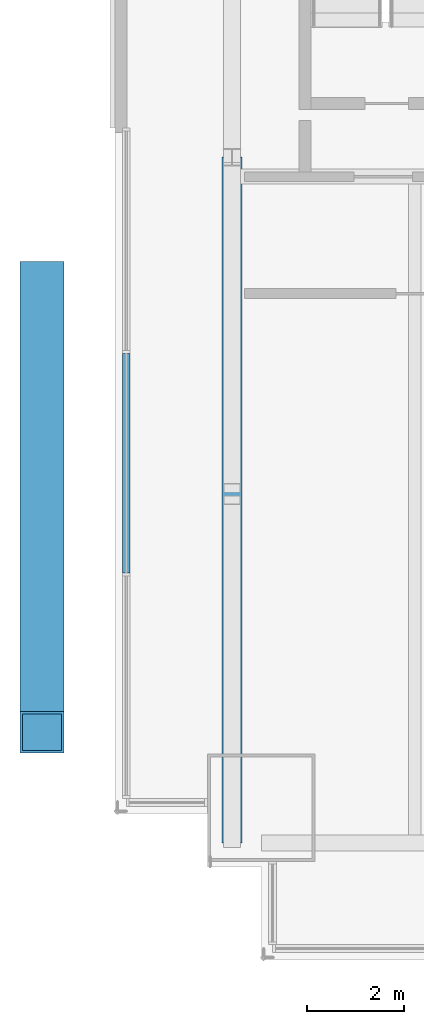
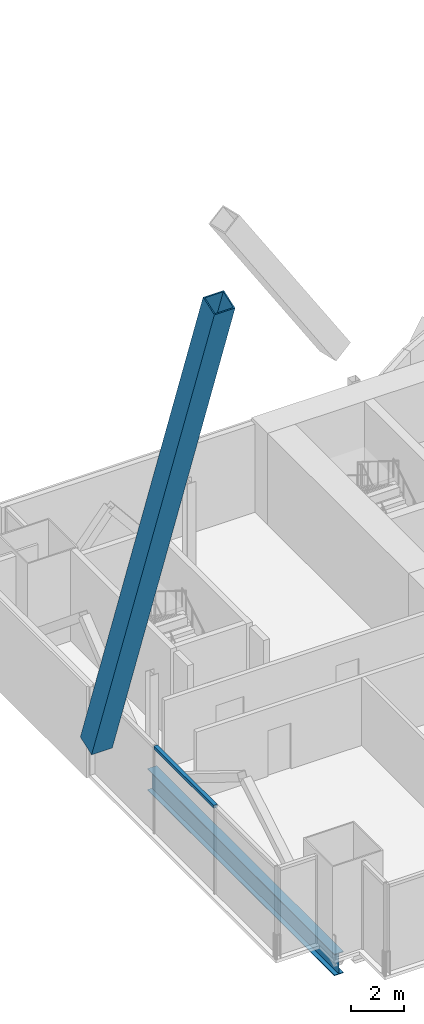
# One storey, part 6 of 23: 2 members, 1 beam, 1 element without a shape of its own.
"""IFC4 building model written with IfcOpenShell, lengths in metres."""

from ifc_helpers import new_model, si_unit, direction, frame, origin, origin_2d, place, context, subcontext, project, spatial, rectangle, hollow_rectangle, i_section, extrude, material, material_profile, profile_set, type_object, element, aggregate, save


model = new_model("IFC4")

# Units and contexts
model_context = context("Model", 3, precision=1e-05, world=origin(), true_north=direction((0.0, 1.0)))
body_context = subcontext(model_context, "Body", "Model", "MODEL_VIEW")
ifc_project = project(units=[si_unit("LENGTHUNIT", "METRE"), si_unit("AREAUNIT", "SQUARE_METRE"), si_unit("VOLUMEUNIT", "CUBIC_METRE"), si_unit("PLANEANGLEUNIT", "RADIAN"), si_unit("MASSUNIT", "GRAM", prefix="KILO")], contexts=[model_context])

# Site, building, storey
site_placement = place(None, origin())
site = spatial("IfcSite", under=ifc_project, at=site_placement, CompositionType="ELEMENT")
building_placement = place(site_placement, origin())
building = spatial("IfcBuilding", under=site, at=building_placement, Name="Bicima Exchange Tower", CompositionType="ELEMENT")
storey_placement = place(building_placement, frame((0.0, 0.0, 262.39990234375)))
storey = spatial("IfcBuildingStorey", under=building, at=storey_placement, Name="L59", CompositionType="ELEMENT", Elevation=262.39990234375)

# Curtain wall, member
ifc_material_1 = material(Name="Anodised bronze aluminium", Category="aluminium")
curtain_wall_type = type_object("IfcCurtainWallType", Name="End face glass wall", PredefinedType="NOTDEFINED", material=ifc_material_1)
curtain_wall_placement = place(storey_placement, origin())
curtain_wall = element("IfcCurtainWall", 1, at=curtain_wall_placement, inside=storey, type_object=curtain_wall_type, Name="End face glass wall L59 run 2", PredefinedType="NOTDEFINED")
ifc_material_profile_1 = material_profile(ifc_material_1, rectangle(XDim=0.159912109375, YDim=0.139892578125, at=origin_2d()))
ifc_profile_set_1 = profile_set([ifc_material_profile_1], Name="Anodised bronze aluminium")
member_type_1 = type_object("IfcMemberType", Name="End face glass wall transom 140 x 160", PredefinedType="USERDEFINED", material=ifc_profile_set_1)
member_1_placement = place(storey_placement, frame((-35.77001953125, -16.6259765625, 3.97998046875), z_axis=(0.0, -1.0, 0.0), x_axis=(1.0, 0.0, 0.0)))
member_1 = element("IfcMember", 2, at=member_1_placement, type_object=member_type_1, Name="End face glass wall transom 2.1", ObjectType="TRANSOM", PredefinedType="USERDEFINED", context=body_context, shape_type="SweptSolid", body=[
    extrude(rectangle(XDim=0.159912109375, YDim=0.139892578125, at=origin_2d()), origin(), (0.0, 0.0, 1.0), 4.506103515625),
])
aggregate(curtain_wall, [member_1])

# Beam
ifc_material_2 = material(Name="Steel ASTM A992 Gr 50", Category="steel")
ifc_material_profile_2 = material_profile(ifc_material_2, i_section(OverallWidth=0.4013671875, OverallDepth=0.990478515625, WebThickness=0.0166015625, FlangeThickness=0.031005859375, at=origin_2d()))
ifc_profile_set_2 = profile_set([ifc_material_profile_2], Name="Steel ASTM A992 Gr 50")
beam_type = type_object("IfcBeamType", Name="End girder W40x215", PredefinedType="BEAM", material=ifc_profile_set_2)
beam_placement = place(storey_placement, frame((-33.60009765625, -12.60009765625, -0.645263671875), z_axis=(0.0, -1.0, 0.0), x_axis=(1.0, 0.0, 0.0)))
element("IfcBeam", 3, at=beam_placement, inside=storey, type_object=beam_type, Name="End girder", PredefinedType="BEAM", context=body_context, shape_type="SweptSolid", body=[
    extrude(i_section(OverallWidth=0.4013671875, OverallDepth=0.990478515625, WebThickness=0.0166015625, FlangeThickness=0.031005859375, at=origin_2d()), origin(), (0.0, 0.0, 1.0), 14.06787109375),
])

# Member
ifc_material_3 = material(Name="Steel ASTM A572 Gr 50", Category="steel")
ifc_material_profile_3 = material_profile(ifc_material_3, hollow_rectangle(XDim=0.89990234375, YDim=0.89990234375, WallThickness=0.050048828125, at=origin_2d()))
ifc_profile_set_3 = profile_set([ifc_material_profile_3], Name="Steel ASTM A572 Gr 50")
member_type_2 = type_object("IfcMemberType", Name="Exo mega brace BOX 900x900x50", PredefinedType="BRACE", material=ifc_profile_set_3)
member_2_placement = place(storey_placement, frame((-37.5, -15.164306640625, 3.900146484375), z_axis=(0.0, -0.33704910936, 0.941487067293), x_axis=(1.0, 0.0, 0.0)))
element("IfcMember", 4, at=member_2_placement, inside=storey, type_object=member_type_2, Name="Exo mega brace end", PredefinedType="BRACE", context=body_context, shape_type="SweptSolid", body=[
    extrude(hollow_rectangle(XDim=0.89990234375, YDim=0.89990234375, WallThickness=0.050048828125, at=origin_2d()), origin(), (0.0, 0.0, 1.0), 27.403564453125),
])

save(model, "model.ifc")
